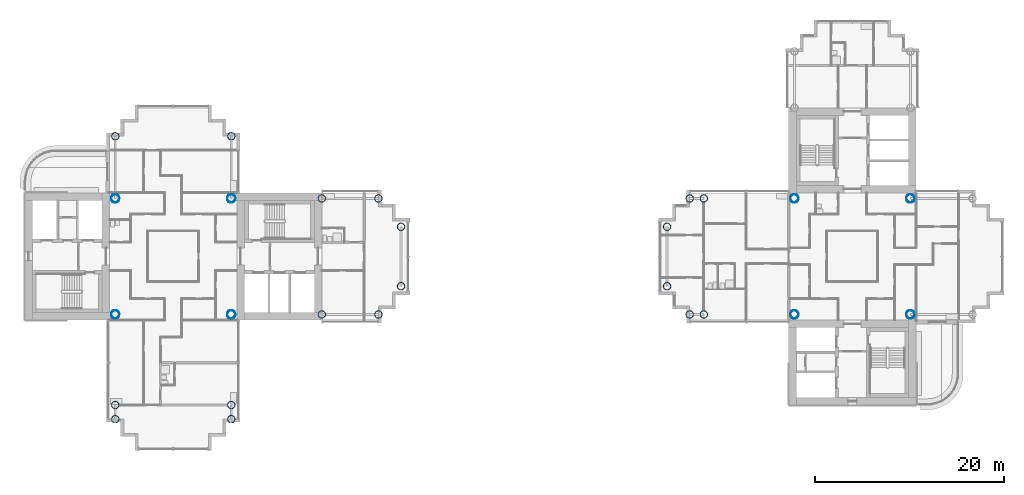
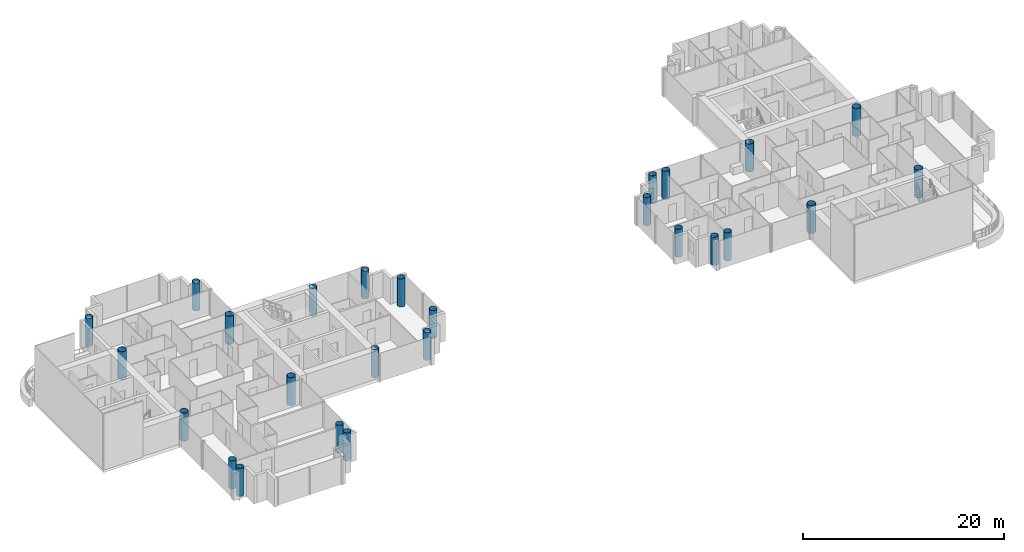
# One storey, part 1 of 20: 26 columns.
"""IFC4 building model written with IfcOpenShell, lengths in metres."""

from ifc_helpers import new_model, si_unit, direction, frame, origin, origin_2d, place, context, subcontext, project, spatial, hollow_circle, extrude, material, material_profile, profile_set, type_object, element, save


model = new_model("IFC4")

# Units and contexts
model_context = context("Model", 3, precision=1e-05, world=origin(), true_north=direction((0.0, 1.0)))
body_context = subcontext(model_context, "Body", "Model", "MODEL_VIEW")
ifc_project = project(units=[si_unit("LENGTHUNIT", "METRE"), si_unit("AREAUNIT", "SQUARE_METRE"), si_unit("VOLUMEUNIT", "CUBIC_METRE"), si_unit("PLANEANGLEUNIT", "RADIAN"), si_unit("MASSUNIT", "GRAM", prefix="KILO")], contexts=[model_context])

# Site, building, storey
site_placement = place(None, origin())
site = spatial("IfcSite", under=ifc_project, at=site_placement, CompositionType="ELEMENT")
building_placement = place(site_placement, origin())
building = spatial("IfcBuilding", under=site, at=building_placement, Name="Ipe Terrace Towers", CompositionType="ELEMENT")
storey_placement = place(building_placement, frame((0.0, 0.0, 154.10009765625)))
storey = spatial("IfcBuildingStorey", under=building, at=storey_placement, Name="L42", CompositionType="ELEMENT", Elevation=154.10009765625)

# Columns
ifc_material_1 = material(Name="Steel S355 tube with Concrete C60/75 fill", Category="concrete")
ifc_material_profile_1 = material_profile(ifc_material_1, hollow_circle(Radius=0.39990234375, WallThickness=0.028076171875, at=origin_2d()), Name="CHS-800x28")
ifc_profile_set_1 = profile_set([ifc_material_profile_1], Name="Steel S355 tube with Concrete C60/75 fill")
column_type_1 = type_object("IfcColumnType", Name="CH09 COLUMN CHS-800x28", PredefinedType="COLUMN", material=ifc_profile_set_1)
for number, where, z_axis, x_axis, name in (
    (1, (-20.25, -6.14990234375, 0.0), (0.0, 0.0, 1.0), (1.0, 0.0, 0.0), "Column T1-C-A01"),
    (2, (-20.25, 6.14990234375, 0.0), (0.0, 0.0, 1.0), (1.0, 0.0, 0.0), "Column T1-C-A02"),
    (3, (-14.25, -6.14990234375, 0.0), (0.0, 0.0, 1.0), (1.0, 0.0, 0.0), "Column T1-C-A03"),
    (4, (-14.25, 6.14990234375, 0.0), (0.0, 0.0, 1.0), (1.0, 0.0, 0.0), "Column T1-C-A04"),
    (5, (-11.85009765625, -3.14990234375, 0.0), (0.0, 0.0, 1.0), (1.0, 0.0, 0.0), "Column T1-C-A05"),
    (6, (-11.85009765625, 3.14990234375, 0.0), (0.0, 0.0, 1.0), (1.0, 0.0, 0.0), "Column T1-C-A06"),
    (7, (-29.85009765625, 12.75, 0.0), (0.0, 0.0, 1.0), (1.0, 0.0, 0.0), "Column T1-C-B01"),
    (8, (-42.14990234375, 12.75, 0.0), (0.0, 0.0, 1.0), (1.0, 0.0, 0.0), "Column T1-C-B02"),
    (9, (-42.14990234375, -15.75, 0.0), (0.0, 0.0, 1.0), (1.0, 0.0, 0.0), "Column T1-C-D03"),
    (10, (-29.85009765625, -15.75, 0.0), (0.0, 0.0, 1.0), (1.0, 0.0, 0.0), "Column T1-C-D04"),
    (11, (-42.14990234375, -17.25, 0.0), (0.0, 0.0, 1.0), (1.0, 0.0, 0.0), "Column T1-C-D05"),
    (12, (-29.85009765625, -17.25, 0.0), (0.0, 0.0, 1.0), (1.0, 0.0, 0.0), "Column T1-C-D06"),
    (13, (20.25, 6.14990234375, 0.0), (0.0, 0.0, 1.0), (1.0, 0.0, 0.0), "Column T2-C-B03"),
    (14, (20.25, -6.14990234375, 0.0), (0.0, 0.0, 1.0), (1.0, 0.0, 0.0), "Column T2-C-B04"),
    (15, (18.75, 6.14990234375, 0.0), (0.0, 0.0, 1.0), (1.0, 0.0, 0.0), "Column T2-C-B05"),
    (16, (18.75, -6.14990234375, 0.0), (0.0, 0.0, 1.0), (1.0, 0.0, 0.0), "Column T2-C-B06"),
    (17, (16.35009765625, 3.14990234375, 0.0), (0.0, 0.0, 1.0), (1.0, 0.0, 0.0), "Column T2-C-B07"),
    (18, (16.35009765625, -3.14990234375, 0.0), (0.0, 0.0, 1.0), (1.0, 0.0, 0.0), "Column T2-C-B08"),
):
    element("IfcColumn", number, at=place(storey_placement, frame(where, z_axis=z_axis, x_axis=x_axis)), inside=storey, type_object=column_type_1, Name=name, PredefinedType="COLUMN", context=body_context, shape_type="SweptSolid", body=[
        extrude(hollow_circle(Radius=0.39990234375, WallThickness=0.028076171875, at=origin_2d()), origin(), (0.0, 0.0, 1.0), 3.39990234375),
    ])
ifc_material_2 = material(Name="Steel S355 tube with Concrete C60/75 fill", Category="concrete")
ifc_material_profile_2 = material_profile(ifc_material_2, hollow_circle(Radius=0.449951171875, WallThickness=0.031982421875, at=origin_2d()), Name="CHS-900x32")
ifc_profile_set_2 = profile_set([ifc_material_profile_2], Name="Steel S355 tube with Concrete C60/75 fill")
column_type_2 = type_object("IfcColumnType", Name="CH10 COLUMN CHS-900x32", PredefinedType="COLUMN", material=ifc_profile_set_2)
for number, where, z_axis, x_axis, name in (
    (19, (-42.14990234375, -6.14990234375, 0.0), (0.0, 0.0, 1.0), (1.0, 0.0, 0.0), "Column T1-C-E01"),
    (20, (-29.85009765625, -6.14990234375, 0.0), (0.0, 0.0, 1.0), (1.0, 0.0, 0.0), "Column T1-C-E02"),
    (21, (-29.85009765625, 6.14990234375, 0.0), (0.0, 0.0, 1.0), (1.0, 0.0, 0.0), "Column T1-C-E03"),
    (22, (-42.14990234375, 6.14990234375, 0.0), (0.0, 0.0, 1.0), (1.0, 0.0, 0.0), "Column T1-C-E04"),
    (23, (42.14990234375, -6.14990234375, 0.0), (0.0, 0.0, 1.0), (1.0, 0.0, 0.0), "Column T2-C-E01"),
    (24, (42.14990234375, 6.14990234375, 0.0), (0.0, 0.0, 1.0), (1.0, 0.0, 0.0), "Column T2-C-E02"),
    (25, (29.85009765625, 6.14990234375, 0.0), (0.0, 0.0, 1.0), (1.0, 0.0, 0.0), "Column T2-C-E03"),
    (26, (29.85009765625, -6.14990234375, 0.0), (0.0, 0.0, 1.0), (1.0, 0.0, 0.0), "Column T2-C-E04"),
):
    element("IfcColumn", number, at=place(storey_placement, frame(where, z_axis=z_axis, x_axis=x_axis)), inside=storey, type_object=column_type_2, Name=name, PredefinedType="COLUMN", context=body_context, shape_type="SweptSolid", body=[
        extrude(hollow_circle(Radius=0.449951171875, WallThickness=0.031982421875, at=origin_2d()), origin(), (0.0, 0.0, 1.0), 3.39990234375),
    ])

save(model, "model.ifc")
